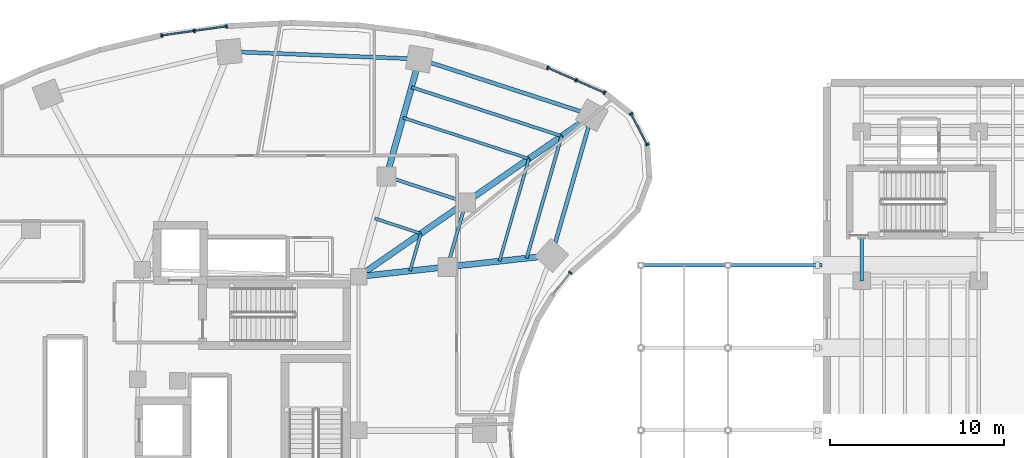
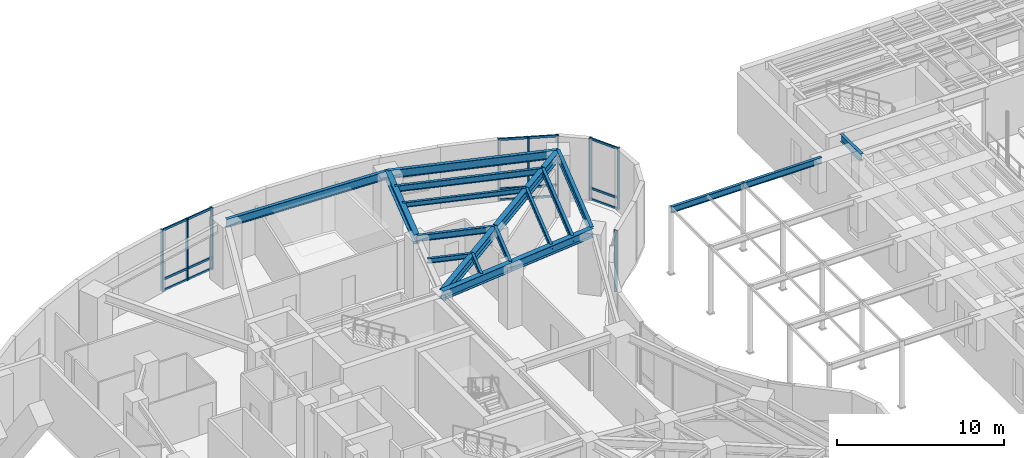
# One storey, part 10 of 24: 24 members, 19 beams, 4 elements without a shape of their own.
"""IFC4 building model written with IfcOpenShell, lengths in metres."""

from ifc_helpers import new_model, si_unit, direction, frame, origin, origin_2d, place, context, subcontext, project, spatial, rectangle, i_section, extrude, material, layer, layer_set, material_profile, profile_set, type_object, element, aggregate, save


model = new_model("IFC4")

# Units and contexts
model_context = context("Model", 3, precision=1e-05, world=origin(), true_north=direction((0.0, 1.0)))
body_context = subcontext(model_context, "Body", "Model", "MODEL_VIEW")
ifc_project = project(units=[si_unit("LENGTHUNIT", "METRE"), si_unit("AREAUNIT", "SQUARE_METRE"), si_unit("VOLUMEUNIT", "CUBIC_METRE"), si_unit("PLANEANGLEUNIT", "RADIAN"), si_unit("MASSUNIT", "GRAM", prefix="KILO")], contexts=[model_context])

# Site, building, storey
site_placement = place(None, origin())
site = spatial("IfcSite", under=ifc_project, at=site_placement, CompositionType="ELEMENT")
building_placement = place(site_placement, origin())
building = spatial("IfcBuilding", under=site, at=building_placement, Name="Korentha Bioscience Tower", CompositionType="ELEMENT")
storey_placement = place(building_placement, frame((0.0, 0.0, 5.39990234375)))
storey = spatial("IfcBuildingStorey", under=building, at=storey_placement, Name="L01", CompositionType="ELEMENT", Elevation=5.39990234375)

# Beams
ifc_material_1 = material(Name="Steel S355", Category="steel")
ifc_material_profile_1 = material_profile(ifc_material_1, i_section(OverallWidth=0.18994140625, OverallDepth=0.45703125, WebThickness=0.009033203125, FlangeThickness=0.014404296875, at=origin_2d()), Name="Steel S355")
ifc_profile_set_1 = profile_set([ifc_material_profile_1], Name="Steel S355 (AB-460)")
beam_type_1 = type_object("IfcBeamType", Name="Arcade Canopy Roof Girder W460x74", PredefinedType="BEAM", material=ifc_profile_set_1)
beam_1_placement = place(storey_placement, frame((53.800048828125, 36.5, 4.33154296875), z_axis=(1.0, 0.0, 0.0), x_axis=(0.0, 1.0, 0.0)))
element("IfcBeam", 1, at=beam_1_placement, inside=storey, type_object=beam_type_1, Name="L01 Arcade West Span Girder 05", PredefinedType="BEAM", context=body_context, shape_type="SweptSolid", body=[
    extrude(i_section(OverallWidth=0.18994140625, OverallDepth=0.45703125, WebThickness=0.009033203125, FlangeThickness=0.014404296875, at=origin_2d()), origin(), (0.0, 0.0, 1.0), 5.0),
])
beam_2_placement = place(storey_placement, frame((58.800048828125, 36.5, 4.33154296875), z_axis=(1.0, 0.0, 0.0), x_axis=(0.0, 1.0, 0.0)))
element("IfcBeam", 2, at=beam_2_placement, inside=storey, type_object=beam_type_1, Name="L01 Arcade Joint Span Girder 05", PredefinedType="BEAM", context=body_context, shape_type="SweptSolid", body=[
    extrude(i_section(OverallWidth=0.18994140625, OverallDepth=0.45703125, WebThickness=0.009033203125, FlangeThickness=0.014404296875, at=origin_2d()), origin(), (0.0, 0.0, 1.0), 5.409912109375),
])
ifc_material_profile_2 = material_profile(ifc_material_1, i_section(OverallWidth=0.18994140625, OverallDepth=0.45703125, WebThickness=0.009033203125, FlangeThickness=0.014404296875, at=origin_2d()), Name="Steel S355")
ifc_profile_set_2 = profile_set([ifc_material_profile_2], Name="Steel S355 (MB-460)")
beam_type_2 = type_object("IfcBeamType", Name="Mid-Ring Tie Girder W460x74", PredefinedType="BEAM", material=ifc_profile_set_2)
beam_3_placement = place(storey_placement, frame((43.7265625, 40.121337890625, 4.271484375), z_axis=(-0.950877001105, 0.309568940253, 0.0), x_axis=(-0.309568940253, -0.950877001105, 0.0)))
element("IfcBeam", 3, at=beam_3_placement, inside=storey, type_object=beam_type_2, Name="L01 Mid-Ring Tie Girder 01", PredefinedType="BEAM", context=body_context, shape_type="SweptSolid", body=[
    extrude(i_section(OverallWidth=0.18994140625, OverallDepth=0.45703125, WebThickness=0.009033203125, FlangeThickness=0.014404296875, at=origin_2d()), origin(), (0.0, 0.0, 1.0), 4.80126953125),
])
beam_4_placement = place(storey_placement, frame((42.66162109375, 36.406982421875, 4.271484375), z_axis=(0.27560557792, 0.961270807535, 0.0), x_axis=(-0.961270807535, 0.27560557792, 0.0)))
element("IfcBeam", 4, at=beam_4_placement, inside=storey, type_object=beam_type_2, Name="L01 Mid-Ring Tie Girder 16", PredefinedType="BEAM", context=body_context, shape_type="SweptSolid", body=[
    extrude(i_section(OverallWidth=0.18994140625, OverallDepth=0.45703125, WebThickness=0.009033203125, FlangeThickness=0.014404296875, at=origin_2d()), origin(), (0.0, 0.0, 1.0), 3.864013671875),
])

# Curtain wall, members
ifc_material_2 = material(Name="Stone-Clad Aluminium Frame", Category="masonry")
ifc_layer = layer(ifc_material_2, 0.219970703125, Name="Stone-Clad Aluminium Frame")
ifc_layer_set = layer_set([ifc_layer], Name="Stone-Clad Aluminium Frame (CW-P1)")
curtain_wall_type = type_object("IfcCurtainWallType", Name="Podium Double-Height Stone-Mullion Curtain Wall CW-P1", PredefinedType="USERDEFINED", material=ifc_layer_set)
curtain_wall_1_placement = place(storey_placement, origin())
curtain_wall_1 = element("IfcCurtainWall", 5, at=curtain_wall_1_placement, inside=storey, type_object=curtain_wall_type, Name="L01 Curtain Wall 01", ObjectType="UNITISED", PredefinedType="USERDEFINED")
ifc_material_3 = material(Name="Anodised Aluminium 6063-T6", Category="aluminium")
ifc_material_profile_3 = material_profile(ifc_material_3, rectangle(XDim=0.090087890625, YDim=0.199951171875, at=origin_2d()), Name="Anodised Aluminium 6063-T6")
ifc_profile_set_3 = profile_set([ifc_material_profile_3], Name="Anodised Aluminium 6063-T6 (CW-MUL)")
member_type_1 = type_object("IfcMemberType", Name="Mullion RECT 90x200", PredefinedType="MULLION", material=ifc_profile_set_3)
member_1_placement = place(storey_placement, frame((51.71337890625, 46.420654296875, 0.0), z_axis=(0.0, 0.0, 1.0), x_axis=(-0.91593909057, 0.401317308828, 0.0)))
member_1 = element("IfcMember", 6, at=member_1_placement, type_object=member_type_1, Name="CW-L01-01 Mullion 1", PredefinedType="MULLION", context=body_context, shape_type="SweptSolid", body=[
    extrude(rectangle(XDim=0.090087890625, YDim=0.199951171875, at=origin_2d()), origin(), (0.0, 0.0, 1.0), 4.5),
])
member_2_placement = place(storey_placement, frame((50.072998046875, 47.139404296875, 0.0), z_axis=(0.0, 0.0, 1.0), x_axis=(-0.91593909057, 0.401317308828, 0.0)))
member_2 = element("IfcMember", 7, at=member_2_placement, type_object=member_type_1, Name="CW-L01-01 Mullion 2", PredefinedType="MULLION", context=body_context, shape_type="SweptSolid", body=[
    extrude(rectangle(XDim=0.090087890625, YDim=0.199951171875, at=origin_2d()), origin(), (0.0, 0.0, 1.0), 4.5),
])
member_3_placement = place(storey_placement, frame((48.43212890625, 47.8583984375, 0.0), z_axis=(0.0, 0.0, 1.0), x_axis=(-0.91593909057, 0.401317308828, 0.0)))
member_3 = element("IfcMember", 8, at=member_3_placement, type_object=member_type_1, Name="CW-L01-01 Mullion 3", PredefinedType="MULLION", context=body_context, shape_type="SweptSolid", body=[
    extrude(rectangle(XDim=0.090087890625, YDim=0.199951171875, at=origin_2d()), origin(), (0.0, 0.0, 1.0), 4.5),
])

curtain_wall_2_placement = place(storey_placement, origin())
curtain_wall_2 = element("IfcCurtainWall", 9, at=curtain_wall_2_placement, inside=storey, type_object=curtain_wall_type, Name="L01 Curtain Wall 07", ObjectType="UNITISED", PredefinedType="USERDEFINED")
member_4_placement = place(storey_placement, frame((29.95849609375, 50.247802734375, 0.0), z_axis=(0.0, 0.0, 1.0), x_axis=(-0.990167372968, -0.139887717511, 0.0)))
member_4 = element("IfcMember", 10, at=member_4_placement, type_object=member_type_1, Name="CW-L01-07 Mullion 1", PredefinedType="MULLION", context=body_context, shape_type="SweptSolid", body=[
    extrude(rectangle(XDim=0.090087890625, YDim=0.199951171875, at=origin_2d()), origin(), (0.0, 0.0, 1.0), 4.5),
])
member_5_placement = place(storey_placement, frame((28.086669921875, 49.9833984375, 0.0), z_axis=(0.0, 0.0, 1.0), x_axis=(-0.990167372968, -0.139887717511, 0.0)))
member_5 = element("IfcMember", 11, at=member_5_placement, type_object=member_type_1, Name="CW-L01-07 Mullion 2", PredefinedType="MULLION", context=body_context, shape_type="SweptSolid", body=[
    extrude(rectangle(XDim=0.090087890625, YDim=0.199951171875, at=origin_2d()), origin(), (0.0, 0.0, 1.0), 4.5),
])
member_6_placement = place(storey_placement, frame((26.214599609375, 49.718994140625, 0.0), z_axis=(0.0, 0.0, 1.0), x_axis=(-0.990167372968, -0.139887717511, 0.0)))
member_6 = element("IfcMember", 12, at=member_6_placement, type_object=member_type_1, Name="CW-L01-07 Mullion 3", PredefinedType="MULLION", context=body_context, shape_type="SweptSolid", body=[
    extrude(rectangle(XDim=0.090087890625, YDim=0.199951171875, at=origin_2d()), origin(), (0.0, 0.0, 1.0), 4.5),
])

# Curtain wall, member
curtain_wall_3_placement = place(storey_placement, origin())
curtain_wall_3 = element("IfcCurtainWall", 13, at=curtain_wall_3_placement, inside=storey, type_object=curtain_wall_type, Name="L01 Curtain Wall 55", ObjectType="UNITISED", PredefinedType="USERDEFINED")
member_7_placement = place(storey_placement, frame((49.73291015625, 36.072021484375, 0.0), z_axis=(0.0, 0.0, 1.0), x_axis=(0.622520324648, 0.782603632371, 0.0)))
member_7 = element("IfcMember", 14, at=member_7_placement, type_object=member_type_1, Name="CW-L01-55 Mullion 2", PredefinedType="MULLION", context=body_context, shape_type="SweptSolid", body=[
    extrude(rectangle(XDim=0.090087890625, YDim=0.199951171875, at=origin_2d()), origin(), (0.0, 0.0, 1.0), 4.5),
])
aggregate(curtain_wall_3, [member_7])

# Curtain wall, members
curtain_wall_4_placement = place(storey_placement, origin())
curtain_wall_4 = element("IfcCurtainWall", 15, at=curtain_wall_4_placement, inside=storey, type_object=curtain_wall_type, Name="L01 Curtain Wall 61", ObjectType="UNITISED", PredefinedType="USERDEFINED")
member_8_placement = place(storey_placement, frame((54.163330078125, 43.435302734375, 0.0), z_axis=(0.0, 0.0, 1.0), x_axis=(-0.463008597697, 0.886353788539, 0.0)))
member_8 = element("IfcMember", 16, at=member_8_placement, type_object=member_type_1, Name="CW-L01-61 Mullion 1", PredefinedType="MULLION", context=body_context, shape_type="SweptSolid", body=[
    extrude(rectangle(XDim=0.090087890625, YDim=0.199951171875, at=origin_2d()), origin(), (0.0, 0.0, 1.0), 4.5),
])
member_9_placement = place(storey_placement, frame((53.22900390625, 45.2236328125, 0.0), z_axis=(0.0, 0.0, 1.0), x_axis=(-0.463008597697, 0.886353788539, 0.0)))
member_9 = element("IfcMember", 17, at=member_9_placement, type_object=member_type_1, Name="CW-L01-61 Mullion 2", PredefinedType="MULLION", context=body_context, shape_type="SweptSolid", body=[
    extrude(rectangle(XDim=0.090087890625, YDim=0.199951171875, at=origin_2d()), origin(), (0.0, 0.0, 1.0), 4.5),
])

# Beams
ifc_material_profile_4 = material_profile(ifc_material_1, i_section(OverallWidth=0.208984375, OverallDepth=0.532958984375, WebThickness=0.01025390625, FlangeThickness=0.015625, at=origin_2d()), Name="Steel S355")
ifc_profile_set_4 = profile_set([ifc_material_profile_4], Name="Steel S355 (SB-530)")
beam_type_3 = type_object("IfcBeamType", Name="Perimeter Ring Spandrel Girder W530x92", PredefinedType="SPANDREL", material=ifc_profile_set_4)
beam_5_placement = place(storey_placement, frame((66.5, 35.60009765625, 4.233642578125), z_axis=(0.0, 1.0, 0.0), x_axis=(-1.0, 0.0, 0.0)))
element("IfcBeam", 18, at=beam_5_placement, inside=storey, type_object=beam_type_3, Name="L01 Theatre Collector Girder 1-6", PredefinedType="SPANDREL", context=body_context, shape_type="SweptSolid", body=[
    extrude(i_section(OverallWidth=0.208984375, OverallDepth=0.532958984375, WebThickness=0.01025390625, FlangeThickness=0.015625, at=origin_2d()), origin(), (0.0, 0.0, 1.0), 2.449951171875),
])
ifc_material_profile_5 = material_profile(ifc_material_1, i_section(OverallWidth=0.22802734375, OverallDepth=0.60791015625, WebThickness=0.01123046875, FlangeThickness=0.017333984375, at=origin_2d()), Name="Steel S355")
ifc_profile_set_5 = profile_set([ifc_material_profile_5], Name="Steel S355 (SB-610)")
beam_type_4 = type_object("IfcBeamType", Name="Perimeter Ring Spandrel Girder W610x113", PredefinedType="SPANDREL", material=ifc_profile_set_5)
beam_6_placement = place(storey_placement, frame((50.977294921875, 45.135498046875, 4.196044921875), z_axis=(-0.95087511444, 0.309574735305, 0.0), x_axis=(-0.309574735305, -0.95087511444, 0.0)))
element("IfcBeam", 19, at=beam_6_placement, inside=storey, type_object=beam_type_4, Name="L01 Perimeter Spandrel Girder 01", PredefinedType="SPANDREL", context=body_context, shape_type="SweptSolid", body=[
    extrude(i_section(OverallWidth=0.22802734375, OverallDepth=0.60791015625, WebThickness=0.01123046875, FlangeThickness=0.017333984375, at=origin_2d()), origin(), (0.0, 0.0, 1.0), 10.4375),
])
beam_7_placement = place(storey_placement, frame((41.052490234375, 48.36669921875, 4.196044921875), z_axis=(-0.999246003889, 0.03882555488, 0.0), x_axis=(-0.03882555488, -0.999246003889, 0.0)))
element("IfcBeam", 20, at=beam_7_placement, inside=storey, type_object=beam_type_4, Name="L01 Perimeter Spandrel Girder 02", PredefinedType="SPANDREL", context=body_context, shape_type="SweptSolid", body=[
    extrude(i_section(OverallWidth=0.22802734375, OverallDepth=0.60791015625, WebThickness=0.01123046875, FlangeThickness=0.017333984375, at=origin_2d()), origin(), (0.0, 0.0, 1.0), 10.966552734375),
])
beam_8_placement = place(storey_placement, frame((48.661865234375, 37.060791015625, 4.196044921875), z_axis=(0.275642273411, 0.961260285827, 0.0), x_axis=(-0.961260285827, 0.275642273411, 0.0)))
element("IfcBeam", 21, at=beam_8_placement, inside=storey, type_object=beam_type_4, Name="L01 Perimeter Spandrel Girder 16", PredefinedType="SPANDREL", context=body_context, shape_type="SweptSolid", body=[
    extrude(i_section(OverallWidth=0.22802734375, OverallDepth=0.60791015625, WebThickness=0.01123046875, FlangeThickness=0.017333984375, at=origin_2d()), origin(), (0.0, 0.0, 1.0), 8.400146484375),
])
ifc_material_profile_6 = material_profile(ifc_material_1, i_section(OverallWidth=0.18994140625, OverallDepth=0.45703125, WebThickness=0.009033203125, FlangeThickness=0.014404296875, at=origin_2d()), Name="Steel S355")
ifc_profile_set_6 = profile_set([ifc_material_profile_6], Name="Steel S355 (RB-460)")
beam_type_5 = type_object("IfcBeamType", Name="Radial Laboratory Beam W460x74", PredefinedType="BEAM", material=ifc_profile_set_6)
beam_9_placement = place(storey_placement, frame((49.2373046875, 43.931884765625, 4.271484375), z_axis=(-0.95087437499, 0.309577006554, 0.0), x_axis=(-0.309577006554, -0.95087437499, 0.0)))
element("IfcBeam", 22, at=beam_9_placement, inside=storey, type_object=beam_type_5, Name="L01 Secondary Floor Beam JSTO-01", PredefinedType="BEAM", context=body_context, shape_type="SweptSolid", body=[
    extrude(i_section(OverallWidth=0.18994140625, OverallDepth=0.45703125, WebThickness=0.009033203125, FlangeThickness=0.014404296875, at=origin_2d()), origin(), (0.0, 0.0, 1.0), 9.0849609375),
])
beam_10_placement = place(storey_placement, frame((47.2216796875, 36.90380859375, 4.271484375), z_axis=(0.275682421415, 0.961248772443, 0.0), x_axis=(-0.961248772443, 0.275682421415, 0.0)))
element("IfcBeam", 23, at=beam_10_placement, inside=storey, type_object=beam_type_5, Name="L01 Secondary Floor Beam JSTO-16", PredefinedType="BEAM", context=body_context, shape_type="SweptSolid", body=[
    extrude(i_section(OverallWidth=0.18994140625, OverallDepth=0.45703125, WebThickness=0.009033203125, FlangeThickness=0.014404296875, at=origin_2d()), origin(), (0.0, 0.0, 1.0), 7.3115234375),
])
ifc_material_profile_7 = material_profile(ifc_material_1, i_section(OverallWidth=0.35009765625, OverallDepth=0.64990234375, WebThickness=0.01611328125, FlangeThickness=0.02490234375, at=origin_2d()), Name="Steel S355")
ifc_profile_set_7 = profile_set([ifc_material_profile_7], Name="Steel S355 (RB-650)")
beam_type_6 = type_object("IfcBeamType", Name="Radial Laboratory Girder CVS 650x208", PredefinedType="BEAM", material=ifc_profile_set_7)
beam_11_placement = place(storey_placement, frame((37.550048828125, 35.85009765625, 4.175048828125), z_axis=(0.822491697625, 0.568777115694, 0.0), x_axis=(-0.568777115694, 0.822491697625, 0.0)))
element("IfcBeam", 24, at=beam_11_placement, inside=storey, type_object=beam_type_6, Name="L01 Inner Radial Girder 01", PredefinedType="BEAM", context=body_context, shape_type="SweptSolid", body=[
    extrude(i_section(OverallWidth=0.35009765625, OverallDepth=0.64990234375, WebThickness=0.01611328125, FlangeThickness=0.02490234375, at=origin_2d()), origin(), (0.0, 0.0, 1.0), 7.509521484375),
])
beam_12_placement = place(storey_placement, frame((43.7265625, 40.121337890625, 4.175048828125), z_axis=(0.822488186113, 0.568782193555, 0.0), x_axis=(-0.568782193555, 0.822488186113, 0.0)))
element("IfcBeam", 25, at=beam_12_placement, inside=storey, type_object=beam_type_6, Name="L01 Outer Radial Girder 01", PredefinedType="BEAM", context=body_context, shape_type="SweptSolid", body=[
    extrude(i_section(OverallWidth=0.35009765625, OverallDepth=0.64990234375, WebThickness=0.01611328125, FlangeThickness=0.02490234375, at=origin_2d()), origin(), (0.0, 0.0, 1.0), 8.815673828125),
])
beam_13_placement = place(storey_placement, frame((39.1611328125, 41.607666015625, 4.175048828125), z_axis=(0.269475095129, 0.963007358801, 0.0), x_axis=(-0.963007358801, 0.269475095129, 0.0)))
element("IfcBeam", 26, at=beam_13_placement, inside=storey, type_object=beam_type_6, Name="L01 Outer Radial Girder 02", PredefinedType="BEAM", context=body_context, shape_type="SweptSolid", body=[
    extrude(i_section(OverallWidth=0.35009765625, OverallDepth=0.64990234375, WebThickness=0.01611328125, FlangeThickness=0.02490234375, at=origin_2d()), origin(), (0.0, 0.0, 1.0), 7.0185546875),
])
beam_14_placement = place(storey_placement, frame((37.550048828125, 35.85009765625, 4.175048828125), z_axis=(0.994117709144, 0.10830503389, 0.0), x_axis=(-0.10830503389, 0.994117709144, 0.0)))
element("IfcBeam", 27, at=beam_14_placement, inside=storey, type_object=beam_type_6, Name="L01 Inner Radial Girder 16", PredefinedType="BEAM", context=body_context, shape_type="SweptSolid", body=[
    extrude(i_section(OverallWidth=0.35009765625, OverallDepth=0.64990234375, WebThickness=0.01611328125, FlangeThickness=0.02490234375, at=origin_2d()), origin(), (0.0, 0.0, 1.0), 5.141845703125),
])
beam_15_placement = place(storey_placement, frame((42.66162109375, 36.406982421875, 4.175048828125), z_axis=(0.994115805925, 0.108322501862, 0.0), x_axis=(-0.108322501862, 0.994115805925, 0.0)))
element("IfcBeam", 28, at=beam_15_placement, inside=storey, type_object=beam_type_6, Name="L01 Outer Radial Girder 16", PredefinedType="BEAM", context=body_context, shape_type="SweptSolid", body=[
    extrude(i_section(OverallWidth=0.35009765625, OverallDepth=0.64990234375, WebThickness=0.01611328125, FlangeThickness=0.02490234375, at=origin_2d()), origin(), (0.0, 0.0, 1.0), 6.03564453125),
])
ifc_material_profile_8 = material_profile(ifc_material_1, i_section(OverallWidth=0.1708984375, OverallDepth=0.35498046875, WebThickness=0.007080078125, FlangeThickness=0.01171875, at=origin_2d()), Name="Steel S355")
ifc_profile_set_8 = profile_set([ifc_material_profile_8], Name="Steel S355 (JB-360)")
beam_type_7 = type_object("IfcBeamType", Name="Secondary Laboratory Joist W360x51", PredefinedType="JOIST", material=ifc_profile_set_8)
beam_16_placement = place(storey_placement, frame((47.35205078125, 42.62841796875, 4.322509765625), z_axis=(-0.950870992772, 0.309587394938, 0.0), x_axis=(-0.309587394938, -0.950870992772, 0.0)))
element("IfcBeam", 29, at=beam_16_placement, inside=storey, type_object=beam_type_7, Name="L01 Secondary Floor Beam JST-01", PredefinedType="JOIST", context=body_context, shape_type="SweptSolid", body=[
    extrude(i_section(OverallWidth=0.1708984375, OverallDepth=0.35498046875, WebThickness=0.007080078125, FlangeThickness=0.01171875, at=origin_2d()), origin(), (0.0, 0.0, 1.0), 7.619384765625),
])
beam_17_placement = place(storey_placement, frame((41.13232421875, 38.327392578125, 4.322509765625), z_axis=(-0.950869630746, 0.309591578254, 0.0), x_axis=(-0.309591578254, -0.950869630746, 0.0)))
element("IfcBeam", 30, at=beam_17_placement, inside=storey, type_object=beam_type_7, Name="L01 Inner Bay Joist 01", PredefinedType="JOIST", context=body_context, shape_type="SweptSolid", body=[
    extrude(i_section(OverallWidth=0.1708984375, OverallDepth=0.35498046875, WebThickness=0.007080078125, FlangeThickness=0.01171875, at=origin_2d()), origin(), (0.0, 0.0, 1.0), 2.784423828125),
])
beam_18_placement = place(storey_placement, frame((45.66162109375, 36.73388671875, 4.322509765625), z_axis=(0.275667500387, 0.96125305161, 0.0), x_axis=(-0.96125305161, 0.275667500387, 0.0)))
element("IfcBeam", 31, at=beam_18_placement, inside=storey, type_object=beam_type_7, Name="L01 Secondary Floor Beam JST-16", PredefinedType="JOIST", context=body_context, shape_type="SweptSolid", body=[
    extrude(i_section(OverallWidth=0.1708984375, OverallDepth=0.35498046875, WebThickness=0.007080078125, FlangeThickness=0.01171875, at=origin_2d()), origin(), (0.0, 0.0, 1.0), 6.132080078125),
])
beam_19_placement = place(storey_placement, frame((40.5146484375, 36.173095703125, 4.322509765625), z_axis=(0.275613067773, 0.961268660091, 0.0), x_axis=(-0.961268660091, 0.275613067773, 0.0)))
element("IfcBeam", 32, at=beam_19_placement, inside=storey, type_object=beam_type_7, Name="L01 Inner Bay Joist 16", PredefinedType="JOIST", context=body_context, shape_type="SweptSolid", body=[
    extrude(i_section(OverallWidth=0.1708984375, OverallDepth=0.35498046875, WebThickness=0.007080078125, FlangeThickness=0.01171875, at=origin_2d()), origin(), (0.0, 0.0, 1.0), 2.2412109375),
])

# Member
ifc_material_profile_9 = material_profile(ifc_material_3, rectangle(XDim=0.090087890625, YDim=0.159912109375, at=origin_2d()), Name="Anodised Aluminium 6063-T6")
ifc_profile_set_9 = profile_set([ifc_material_profile_9], Name="Anodised Aluminium 6063-T6 (CW-TRN)")
member_type_2 = type_object("IfcMemberType", Name="Transom RECT 90x160", PredefinedType="USERDEFINED", material=ifc_profile_set_9)
member_10_placement = place(storey_placement, frame((51.67236328125, 46.438720703125, 0.045166015625), z_axis=(-0.915976098914, 0.401232832926, 0.0), x_axis=(-0.401232832926, -0.915976098914, 0.0)))
member_10 = element("IfcMember", 33, at=member_10_placement, type_object=member_type_2, Name="CW-L01-01 Bay 1 Transom 1", ObjectType="TRANSOM", PredefinedType="USERDEFINED", context=body_context, shape_type="SweptSolid", body=[
    extrude(rectangle(XDim=0.090087890625, YDim=0.159912109375, at=origin_2d()), origin(), (0.0, 0.0, 1.0), 1.701416015625),
])

member_11_placement = place(storey_placement, frame((51.67236328125, 46.438720703125, 0.85009765625), z_axis=(-0.915976098914, 0.401232832926, 0.0), x_axis=(-0.401232832926, -0.915976098914, 0.0)))
member_11 = element("IfcMember", 34, at=member_11_placement, type_object=member_type_2, Name="CW-L01-01 Bay 1 Transom 2", ObjectType="TRANSOM", PredefinedType="USERDEFINED", context=body_context, shape_type="SweptSolid", body=[
    extrude(rectangle(XDim=0.090087890625, YDim=0.159912109375, at=origin_2d()), origin(), (0.0, 0.0, 1.0), 1.701416015625),
])

member_12_placement = place(storey_placement, frame((51.67236328125, 46.438720703125, 4.455078125), z_axis=(-0.915976098914, 0.401232832926, 0.0), x_axis=(-0.401232832926, -0.915976098914, 0.0)))
member_12 = element("IfcMember", 35, at=member_12_placement, type_object=member_type_2, Name="CW-L01-01 Bay 1 Transom 3", ObjectType="TRANSOM", PredefinedType="USERDEFINED", context=body_context, shape_type="SweptSolid", body=[
    extrude(rectangle(XDim=0.090087890625, YDim=0.159912109375, at=origin_2d()), origin(), (0.0, 0.0, 1.0), 1.701416015625),
])

member_13_placement = place(storey_placement, frame((50.031494140625, 47.15771484375, 0.045166015625), z_axis=(-0.915952992218, 0.401285579167, 0.0), x_axis=(-0.401285579167, -0.915952992218, 0.0)))
member_13 = element("IfcMember", 36, at=member_13_placement, type_object=member_type_2, Name="CW-L01-01 Bay 2 Transom 1", ObjectType="TRANSOM", PredefinedType="USERDEFINED", context=body_context, shape_type="SweptSolid", body=[
    extrude(rectangle(XDim=0.090087890625, YDim=0.159912109375, at=origin_2d()), origin(), (0.0, 0.0, 1.0), 1.701171875),
])

member_14_placement = place(storey_placement, frame((50.031494140625, 47.15771484375, 0.85009765625), z_axis=(-0.915952992218, 0.401285579167, 0.0), x_axis=(-0.401285579167, -0.915952992218, 0.0)))
member_14 = element("IfcMember", 37, at=member_14_placement, type_object=member_type_2, Name="CW-L01-01 Bay 2 Transom 2", ObjectType="TRANSOM", PredefinedType="USERDEFINED", context=body_context, shape_type="SweptSolid", body=[
    extrude(rectangle(XDim=0.090087890625, YDim=0.159912109375, at=origin_2d()), origin(), (0.0, 0.0, 1.0), 1.701171875),
])

member_15_placement = place(storey_placement, frame((50.031494140625, 47.15771484375, 4.455078125), z_axis=(-0.915952992218, 0.401285579167, 0.0), x_axis=(-0.401285579167, -0.915952992218, 0.0)))
member_15 = element("IfcMember", 38, at=member_15_placement, type_object=member_type_2, Name="CW-L01-01 Bay 2 Transom 3", ObjectType="TRANSOM", PredefinedType="USERDEFINED", context=body_context, shape_type="SweptSolid", body=[
    extrude(rectangle(XDim=0.090087890625, YDim=0.159912109375, at=origin_2d()), origin(), (0.0, 0.0, 1.0), 1.701171875),
])

aggregate(curtain_wall_1, [member_1, member_2, member_3, member_10, member_11, member_12, member_13, member_14, member_15])

member_16_placement = place(storey_placement, frame((29.913818359375, 50.24169921875, 0.045166015625), z_axis=(-0.990159924061, -0.139940432982, 0.0), x_axis=(0.139940432982, -0.990159924061, 0.0)))
member_16 = element("IfcMember", 39, at=member_16_placement, type_object=member_type_2, Name="CW-L01-07 Bay 1 Transom 1", ObjectType="TRANSOM", PredefinedType="USERDEFINED", context=body_context, shape_type="SweptSolid", body=[
    extrude(rectangle(XDim=0.090087890625, YDim=0.159912109375, at=origin_2d()), origin(), (0.0, 0.0, 1.0), 1.800537109375),
])

member_17_placement = place(storey_placement, frame((29.913818359375, 50.24169921875, 0.85009765625), z_axis=(-0.990159924061, -0.139940432982, 0.0), x_axis=(0.139940432982, -0.990159924061, 0.0)))
member_17 = element("IfcMember", 40, at=member_17_placement, type_object=member_type_2, Name="CW-L01-07 Bay 1 Transom 2", ObjectType="TRANSOM", PredefinedType="USERDEFINED", context=body_context, shape_type="SweptSolid", body=[
    extrude(rectangle(XDim=0.090087890625, YDim=0.159912109375, at=origin_2d()), origin(), (0.0, 0.0, 1.0), 1.800537109375),
])

member_18_placement = place(storey_placement, frame((29.913818359375, 50.24169921875, 4.455078125), z_axis=(-0.990159924061, -0.139940432982, 0.0), x_axis=(0.139940432982, -0.990159924061, 0.0)))
member_18 = element("IfcMember", 41, at=member_18_placement, type_object=member_type_2, Name="CW-L01-07 Bay 1 Transom 3", ObjectType="TRANSOM", PredefinedType="USERDEFINED", context=body_context, shape_type="SweptSolid", body=[
    extrude(rectangle(XDim=0.090087890625, YDim=0.159912109375, at=origin_2d()), origin(), (0.0, 0.0, 1.0), 1.800537109375),
])

member_19_placement = place(storey_placement, frame((28.0419921875, 49.977294921875, 0.045166015625), z_axis=(-0.990159924061, -0.139940432982, 0.0), x_axis=(0.139940432982, -0.990159924061, 0.0)))
member_19 = element("IfcMember", 42, at=member_19_placement, type_object=member_type_2, Name="CW-L01-07 Bay 2 Transom 1", ObjectType="TRANSOM", PredefinedType="USERDEFINED", context=body_context, shape_type="SweptSolid", body=[
    extrude(rectangle(XDim=0.090087890625, YDim=0.159912109375, at=origin_2d()), origin(), (0.0, 0.0, 1.0), 1.800537109375),
])

member_20_placement = place(storey_placement, frame((28.0419921875, 49.977294921875, 0.85009765625), z_axis=(-0.990159924061, -0.139940432982, 0.0), x_axis=(0.139940432982, -0.990159924061, 0.0)))
member_20 = element("IfcMember", 43, at=member_20_placement, type_object=member_type_2, Name="CW-L01-07 Bay 2 Transom 2", ObjectType="TRANSOM", PredefinedType="USERDEFINED", context=body_context, shape_type="SweptSolid", body=[
    extrude(rectangle(XDim=0.090087890625, YDim=0.159912109375, at=origin_2d()), origin(), (0.0, 0.0, 1.0), 1.800537109375),
])

member_21_placement = place(storey_placement, frame((28.0419921875, 49.977294921875, 4.455078125), z_axis=(-0.990159924061, -0.139940432982, 0.0), x_axis=(0.139940432982, -0.990159924061, 0.0)))
member_21 = element("IfcMember", 44, at=member_21_placement, type_object=member_type_2, Name="CW-L01-07 Bay 2 Transom 3", ObjectType="TRANSOM", PredefinedType="USERDEFINED", context=body_context, shape_type="SweptSolid", body=[
    extrude(rectangle(XDim=0.090087890625, YDim=0.159912109375, at=origin_2d()), origin(), (0.0, 0.0, 1.0), 1.800537109375),
])

aggregate(curtain_wall_2, [member_4, member_5, member_6, member_16, member_17, member_18, member_19, member_20, member_21])

member_22_placement = place(storey_placement, frame((54.142333984375, 43.47509765625, 0.045166015625), z_axis=(-0.462899248902, 0.886410900974, 0.0), x_axis=(-0.886410900974, -0.462899248902, 0.0)))
member_22 = element("IfcMember", 45, at=member_22_placement, type_object=member_type_2, Name="CW-L01-61 Bay 1 Transom 1", ObjectType="TRANSOM", PredefinedType="USERDEFINED", context=body_context, shape_type="SweptSolid", body=[
    extrude(rectangle(XDim=0.090087890625, YDim=0.159912109375, at=origin_2d()), origin(), (0.0, 0.0, 1.0), 1.927734375),
])

member_23_placement = place(storey_placement, frame((54.142333984375, 43.47509765625, 0.85009765625), z_axis=(-0.462899248902, 0.886410900974, 0.0), x_axis=(-0.886410900974, -0.462899248902, 0.0)))
member_23 = element("IfcMember", 46, at=member_23_placement, type_object=member_type_2, Name="CW-L01-61 Bay 1 Transom 2", ObjectType="TRANSOM", PredefinedType="USERDEFINED", context=body_context, shape_type="SweptSolid", body=[
    extrude(rectangle(XDim=0.090087890625, YDim=0.159912109375, at=origin_2d()), origin(), (0.0, 0.0, 1.0), 1.927734375),
])

member_24_placement = place(storey_placement, frame((54.142333984375, 43.47509765625, 4.455078125), z_axis=(-0.462899248902, 0.886410900974, 0.0), x_axis=(-0.886410900974, -0.462899248902, 0.0)))
member_24 = element("IfcMember", 47, at=member_24_placement, type_object=member_type_2, Name="CW-L01-61 Bay 1 Transom 3", ObjectType="TRANSOM", PredefinedType="USERDEFINED", context=body_context, shape_type="SweptSolid", body=[
    extrude(rectangle(XDim=0.090087890625, YDim=0.159912109375, at=origin_2d()), origin(), (0.0, 0.0, 1.0), 1.927734375),
])

aggregate(curtain_wall_4, [member_8, member_9, member_22, member_23, member_24])

save(model, "model.ifc")
